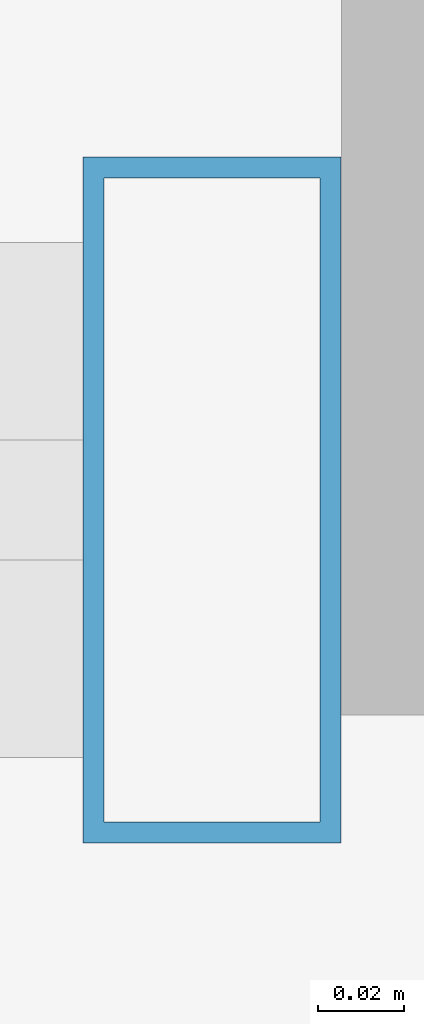
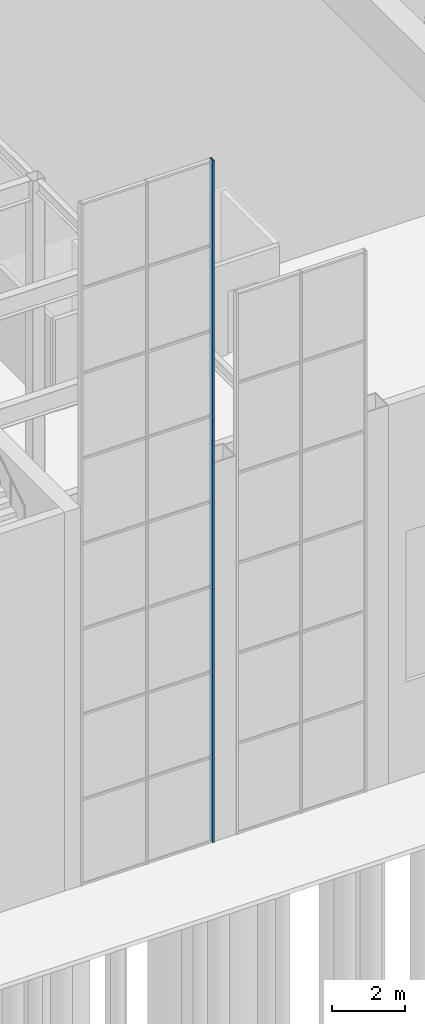
# One storey, part 13 of 58: 1 member, 1 element without a shape of its own.
"""IFC4 building model written with IfcOpenShell, lengths in metres."""

from ifc_helpers import new_model, si_unit, direction, frame, origin, origin_2d, place, context, subcontext, project, spatial, hollow_rectangle, extrude, material, layer, layer_set, material_profile, profile_set, type_object, element, aggregate, save


model = new_model("IFC4")

# Units and contexts
model_context = context("Model", 3, precision=1e-05, world=origin(), true_north=direction((0.0, 1.0)))
body_context = subcontext(model_context, "Body", "Model", "MODEL_VIEW")
ifc_project = project(units=[si_unit("LENGTHUNIT", "METRE"), si_unit("AREAUNIT", "SQUARE_METRE"), si_unit("VOLUMEUNIT", "CUBIC_METRE"), si_unit("PLANEANGLEUNIT", "RADIAN"), si_unit("MASSUNIT", "GRAM", prefix="KILO")], contexts=[model_context])

# Site, building, storey
site_placement = place(None, origin())
site = spatial("IfcSite", under=ifc_project, at=site_placement, CompositionType="ELEMENT")
building_placement = place(site_placement, origin())
building = spatial("IfcBuilding", under=site, at=building_placement, Name="Baori Bourse Tower", CompositionType="ELEMENT")
storey_placement = place(building_placement, origin())
storey = spatial("IfcBuildingStorey", under=building, at=storey_placement, Name="L00", CompositionType="ELEMENT", Elevation=0.0)

# Curtain wall, member
ifc_material_1 = material(Name="Pale anodised aluminium", Category="aluminium")
ifc_layer = layer(ifc_material_1, 0.10009765625)
ifc_layer_set = layer_set([ifc_layer], Name="Wing curtain wall")
curtain_wall_type = type_object("IfcCurtainWallType", Name="Wing curtain wall", PredefinedType="NOTDEFINED", material=ifc_layer_set)
curtain_wall_placement = place(storey_placement, origin())
curtain_wall = element("IfcCurtainWall", 1, at=curtain_wall_placement, inside=storey, type_object=curtain_wall_type, Name="wing/L00/hallcw/001", PredefinedType="NOTDEFINED")
ifc_material_2 = material(Name="Pale anodised aluminium", Category="aluminium")
ifc_material_profile = material_profile(ifc_material_2, hollow_rectangle(XDim=0.159912109375, YDim=0.06005859375, WallThickness=0.0048828125, at=origin_2d()), Name="Mullion 160x60x5")
ifc_profile_set = profile_set([ifc_material_profile], Name="Pale anodised aluminium")
member_type = type_object("IfcMemberType", Name="Wing mullion 60x160", PredefinedType="MULLION", material=ifc_profile_set)
member_placement = place(storey_placement, frame((4.419921875, -25.14990234375, 0.0), z_axis=(0.0, 0.0, 1.0), x_axis=(0.0, 1.0, 0.0)))
member = element("IfcMember", 2, at=member_placement, type_object=member_type, Name="X12 mullion 3", PredefinedType="MULLION", context=body_context, shape_type="SweptSolid", body=[
    extrude(hollow_rectangle(XDim=0.159912109375, YDim=0.06005859375, WallThickness=0.0048828125, at=origin_2d()), origin(), (0.0, 0.0, 1.0), 22.699951171875),
])
aggregate(curtain_wall, [member])

save(model, "model.ifc")
